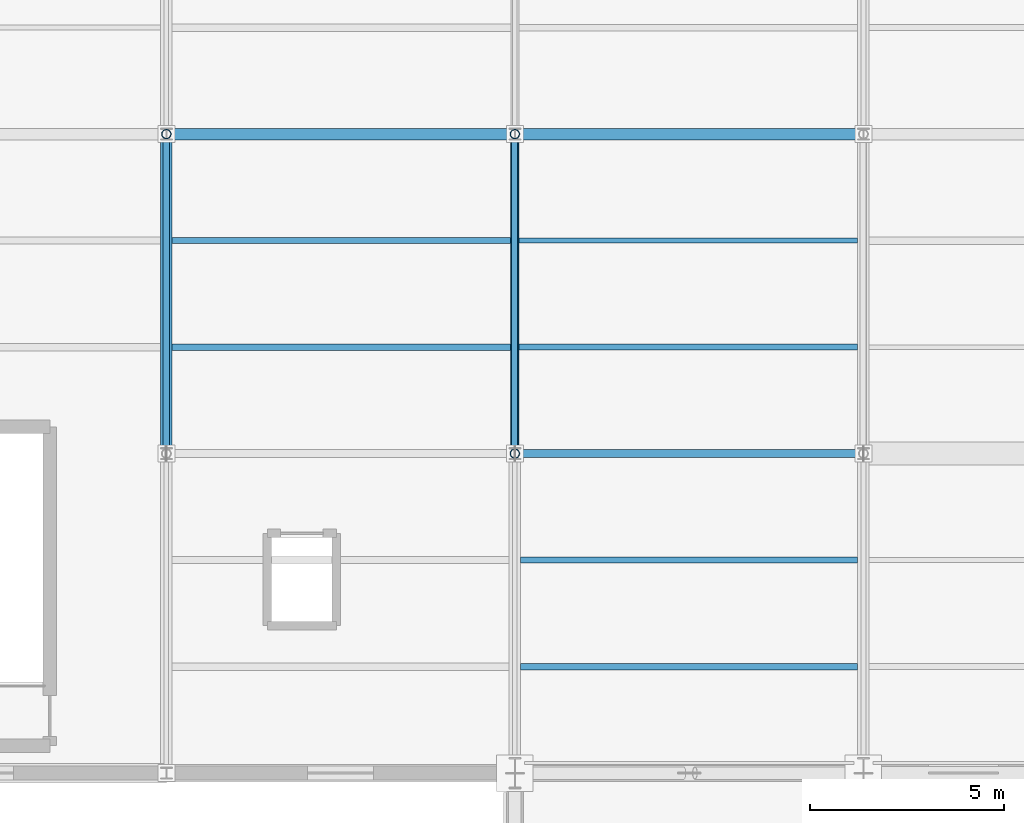
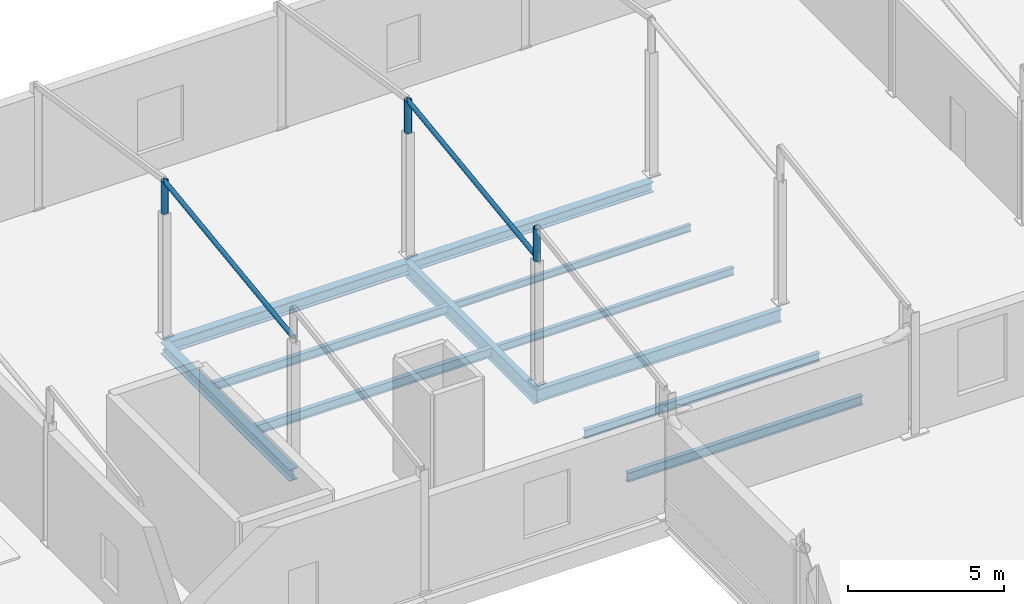
# One storey, part 13 of 54: 11 beams, 5 members.
"""IFC4 building model written with IfcOpenShell, lengths in metres."""

from ifc_helpers import new_model, si_unit, direction, frame, origin, origin_2d, place, context, subcontext, project, spatial, hollow_circle, i_section, extrude, material, material_profile, profile_set, type_object, element, save


model = new_model("IFC4")

# Units and contexts
model_context = context("Model", 3, precision=1e-05, world=origin(), true_north=direction((0.0, 1.0)))
body_context = subcontext(model_context, "Body", "Model", "MODEL_VIEW")
ifc_project = project(units=[si_unit("LENGTHUNIT", "METRE"), si_unit("AREAUNIT", "SQUARE_METRE"), si_unit("VOLUMEUNIT", "CUBIC_METRE"), si_unit("PLANEANGLEUNIT", "RADIAN"), si_unit("MASSUNIT", "GRAM", prefix="KILO")], contexts=[model_context])

# Site, building, storey
site_placement = place(None, origin())
site = spatial("IfcSite", under=ifc_project, at=site_placement, CompositionType="ELEMENT")
building_placement = place(site_placement, origin())
building = spatial("IfcBuilding", under=site, at=building_placement, Name="Sundgate Opera House", CompositionType="ELEMENT")
storey_placement = place(building_placement, frame((0.0, 0.0, 16.800048828125)))
storey = spatial("IfcBuildingStorey", under=building, at=storey_placement, Name="L03", CompositionType="ELEMENT", Elevation=16.800048828125)

# Beams
ifc_material_1 = material(Name="Steel S355J2", Category="steel")
ifc_material_profile_1 = material_profile(ifc_material_1, i_section(OverallWidth=0.300048828125, OverallDepth=0.39990234375, WebThickness=0.013427734375, FlangeThickness=0.02392578125, at=origin_2d()), Name="HEB 400")
ifc_profile_set_1 = profile_set([ifc_material_profile_1], Name="Steel S355J2")
beam_type_1 = type_object("IfcBeamType", Name="BM-GR-HEB400", PredefinedType="BEAM", material=ifc_profile_set_1)
beam_1_placement = place(storey_placement, frame((27.0, 103.5, -0.43994140625), z_axis=(1.0, 0.0, 0.0), x_axis=(0.0, 1.0, 0.0)))
element("IfcBeam", 1, at=beam_1_placement, inside=storey, type_object=beam_type_1, Name="L03 Primary E-W Girder B2681", PredefinedType="BEAM", context=body_context, shape_type="SweptSolid", body=[
    extrude(i_section(OverallWidth=0.300048828125, OverallDepth=0.39990234375, WebThickness=0.013427734375, FlangeThickness=0.02392578125, at=origin_2d()), origin(), (0.0, 0.0, 1.0), 9.0),
])
ifc_material_2 = material(Name="Steel S355J2", Category="steel")
ifc_material_profile_2 = material_profile(ifc_material_2, i_section(OverallWidth=0.300048828125, OverallDepth=0.449951171875, WebThickness=0.013916015625, FlangeThickness=0.02587890625, at=origin_2d()), Name="HEB 450")
ifc_profile_set_2 = profile_set([ifc_material_profile_2], Name="Steel S355J2")
beam_type_2 = type_object("IfcBeamType", Name="BM-GR-HEB450", PredefinedType="BEAM", material=ifc_profile_set_2)
beam_2_placement = place(storey_placement, frame((18.0, 95.25, -0.465087890625), z_axis=(0.0, 1.0, 0.0), x_axis=(-1.0, 0.0, 0.0)))
element("IfcBeam", 2, at=beam_2_placement, inside=storey, type_object=beam_type_2, Name="L03 Primary N-S Girder B2460", PredefinedType="BEAM", context=body_context, shape_type="SweptSolid", body=[
    extrude(i_section(OverallWidth=0.300048828125, OverallDepth=0.449951171875, WebThickness=0.013916015625, FlangeThickness=0.02587890625, at=origin_2d()), origin(), (0.0, 0.0, 1.0), 8.25),
])
beam_3_placement = place(storey_placement, frame((18.0, 103.5, -0.465087890625), z_axis=(1.0, 0.0, 0.0), x_axis=(0.0, 1.0, 0.0)))
element("IfcBeam", 3, at=beam_3_placement, inside=storey, type_object=beam_type_2, Name="L03 Primary E-W Girder B2680", PredefinedType="BEAM", context=body_context, shape_type="SweptSolid", body=[
    extrude(i_section(OverallWidth=0.300048828125, OverallDepth=0.449951171875, WebThickness=0.013916015625, FlangeThickness=0.02587890625, at=origin_2d()), origin(), (0.0, 0.0, 1.0), 9.0),
])
ifc_material_3 = material(Name="Steel S355J2", Category="steel")
ifc_material_profile_3 = material_profile(ifc_material_3, i_section(OverallWidth=0.199951171875, OverallDepth=0.5, WebThickness=0.01025390625, FlangeThickness=0.01611328125, at=origin_2d()), Name="IPE 500")
ifc_profile_set_3 = profile_set([ifc_material_profile_3], Name="Steel S355J2")
beam_type_3 = type_object("IfcBeamType", Name="BM-GR-IPE500", PredefinedType="BEAM", material=ifc_profile_set_3)
beam_4_placement = place(storey_placement, frame((27.0, 95.25, -0.489990234375), z_axis=(1.0, 0.0, 0.0), x_axis=(0.0, 1.0, 0.0)))
element("IfcBeam", 4, at=beam_4_placement, inside=storey, type_object=beam_type_3, Name="L03 Primary E-W Girder B2669", PredefinedType="BEAM", context=body_context, shape_type="SweptSolid", body=[
    extrude(i_section(OverallWidth=0.199951171875, OverallDepth=0.5, WebThickness=0.01025390625, FlangeThickness=0.01611328125, at=origin_2d()), origin(), (0.0, 0.0, 1.0), 9.0),
])
ifc_material_4 = material(Name="Steel S355J2", Category="steel")
ifc_material_profile_4 = material_profile(ifc_material_4, i_section(OverallWidth=0.219970703125, OverallDepth=0.60009765625, WebThickness=0.011962890625, FlangeThickness=0.01904296875, at=origin_2d()), Name="IPE 600")
ifc_profile_set_4 = profile_set([ifc_material_profile_4], Name="Steel S355J2")
beam_type_4 = type_object("IfcBeamType", Name="BM-GR-IPE600", PredefinedType="BEAM", material=ifc_profile_set_4)
beam_5_placement = place(storey_placement, frame((27.0, 95.25, -0.5400390625), z_axis=(0.0, 1.0, 0.0), x_axis=(-1.0, 0.0, 0.0)))
element("IfcBeam", 5, at=beam_5_placement, inside=storey, type_object=beam_type_4, Name="L03 Primary N-S Girder B2469", PredefinedType="BEAM", context=body_context, shape_type="SweptSolid", body=[
    extrude(i_section(OverallWidth=0.219970703125, OverallDepth=0.60009765625, WebThickness=0.011962890625, FlangeThickness=0.01904296875, at=origin_2d()), origin(), (0.0, 0.0, 1.0), 8.25),
])
ifc_material_5 = material(Name="Steel S355J2", Category="steel")
ifc_material_profile_5 = material_profile(ifc_material_5, i_section(OverallWidth=0.135009765625, OverallDepth=0.27001953125, WebThickness=0.006591796875, FlangeThickness=0.01025390625, at=origin_2d()), Name="IPE 270")
ifc_profile_set_5 = profile_set([ifc_material_profile_5], Name="Steel S355J2")
beam_type_5 = type_object("IfcBeamType", Name="BM-JS-IPE270", PredefinedType="JOIST", material=ifc_profile_set_5)
beam_6_placement = place(storey_placement, frame((27.110107421875, 100.75, -0.375), z_axis=(1.0, 0.0, 0.0), x_axis=(0.0, 1.0, 0.0)))
element("IfcBeam", 6, at=beam_6_placement, inside=storey, type_object=beam_type_5, Name="L03 Secondary Floor Joist B2837", PredefinedType="JOIST", context=body_context, shape_type="SweptSolid", body=[
    extrude(i_section(OverallWidth=0.135009765625, OverallDepth=0.27001953125, WebThickness=0.006591796875, FlangeThickness=0.01025390625, at=origin_2d()), origin(), (0.0, 0.0, 1.0), 8.739990234375),
])
ifc_material_6 = material(Name="Steel S355J2", Category="steel")
ifc_material_profile_6 = material_profile(ifc_material_6, i_section(OverallWidth=0.14990234375, OverallDepth=0.300048828125, WebThickness=0.007080078125, FlangeThickness=0.0107421875, at=origin_2d()), Name="IPE 300")
ifc_profile_set_6 = profile_set([ifc_material_profile_6], Name="Steel S355J2")
beam_type_6 = type_object("IfcBeamType", Name="BM-JS-IPE300", PredefinedType="JOIST", material=ifc_profile_set_6)
beam_7_placement = place(storey_placement, frame((27.110107421875, 98.0, -0.39013671875), z_axis=(1.0, 0.0, 0.0), x_axis=(0.0, 1.0, 0.0)))
element("IfcBeam", 7, at=beam_7_placement, inside=storey, type_object=beam_type_6, Name="L03 Secondary Floor Joist B2836", PredefinedType="JOIST", context=body_context, shape_type="SweptSolid", body=[
    extrude(i_section(OverallWidth=0.14990234375, OverallDepth=0.300048828125, WebThickness=0.007080078125, FlangeThickness=0.0107421875, at=origin_2d()), origin(), (0.0, 0.0, 1.0), 8.739990234375),
])
ifc_material_7 = material(Name="Steel S355J2", Category="steel")
ifc_material_profile_7 = material_profile(ifc_material_7, i_section(OverallWidth=0.159912109375, OverallDepth=0.330078125, WebThickness=0.007568359375, FlangeThickness=0.011474609375, at=origin_2d()), Name="IPE 330")
ifc_profile_set_7 = profile_set([ifc_material_profile_7], Name="Steel S355J2")
beam_type_7 = type_object("IfcBeamType", Name="BM-JS-IPE330", PredefinedType="JOIST", material=ifc_profile_set_7)
beam_8_placement = place(storey_placement, frame((27.14990234375, 92.5, -0.405029296875), z_axis=(1.0, 0.0, 0.0), x_axis=(0.0, 1.0, 0.0)))
element("IfcBeam", 8, at=beam_8_placement, inside=storey, type_object=beam_type_7, Name="L03 Secondary Floor Joist B2814", PredefinedType="JOIST", context=body_context, shape_type="SweptSolid", body=[
    extrude(i_section(OverallWidth=0.159912109375, OverallDepth=0.330078125, WebThickness=0.007568359375, FlangeThickness=0.011474609375, at=origin_2d()), origin(), (0.0, 0.0, 1.0), 8.7001953125),
])
beam_9_placement = place(storey_placement, frame((18.14990234375, 100.75, -0.405029296875), z_axis=(1.0, 0.0, 0.0), x_axis=(0.0, 1.0, 0.0)))
element("IfcBeam", 9, at=beam_9_placement, inside=storey, type_object=beam_type_7, Name="L03 Secondary Floor Joist B2835", PredefinedType="JOIST", context=body_context, shape_type="SweptSolid", body=[
    extrude(i_section(OverallWidth=0.159912109375, OverallDepth=0.330078125, WebThickness=0.007568359375, FlangeThickness=0.011474609375, at=origin_2d()), origin(), (0.0, 0.0, 1.0), 8.739990234375),
])
ifc_material_8 = material(Name="Steel S355J2", Category="steel")
ifc_material_profile_8 = material_profile(ifc_material_8, i_section(OverallWidth=0.169921875, OverallDepth=0.360107421875, WebThickness=0.008056640625, FlangeThickness=0.0126953125, at=origin_2d()), Name="IPE 360")
ifc_profile_set_8 = profile_set([ifc_material_profile_8], Name="Steel S355J2")
beam_type_8 = type_object("IfcBeamType", Name="BM-JS-IPE360", PredefinedType="JOIST", material=ifc_profile_set_8)
beam_10_placement = place(storey_placement, frame((27.14990234375, 89.75, -0.420166015625), z_axis=(1.0, 0.0, 0.0), x_axis=(0.0, 1.0, 0.0)))
element("IfcBeam", 10, at=beam_10_placement, inside=storey, type_object=beam_type_8, Name="L03 Secondary Floor Joist B2813", PredefinedType="JOIST", context=body_context, shape_type="SweptSolid", body=[
    extrude(i_section(OverallWidth=0.169921875, OverallDepth=0.360107421875, WebThickness=0.008056640625, FlangeThickness=0.0126953125, at=origin_2d()), origin(), (0.0, 0.0, 1.0), 8.7001953125),
])
beam_11_placement = place(storey_placement, frame((18.14990234375, 98.0, -0.420166015625), z_axis=(1.0, 0.0, 0.0), x_axis=(0.0, 1.0, 0.0)))
element("IfcBeam", 11, at=beam_11_placement, inside=storey, type_object=beam_type_8, Name="L03 Secondary Floor Joist B2834", PredefinedType="JOIST", context=body_context, shape_type="SweptSolid", body=[
    extrude(i_section(OverallWidth=0.169921875, OverallDepth=0.360107421875, WebThickness=0.008056640625, FlangeThickness=0.0126953125, at=origin_2d()), origin(), (0.0, 0.0, 1.0), 8.739990234375),
])

# Members
ifc_material_9 = material(Name="Steel S355J2", Category="steel")
ifc_material_profile_9 = material_profile(ifc_material_9, hollow_circle(Radius=0.084228515625, WallThickness=0.010009765625, at=origin_2d()), Name="CHS 168.3x10.0")
ifc_profile_set_9 = profile_set([ifc_material_profile_9], Name="Steel S355J2")
member_type_1 = type_object("IfcMemberType", Name="MB-BRC-CHS168", PredefinedType="BRACE", material=ifc_profile_set_9)
for number, where, z_axis, x_axis, name in (
    (12, (18.0, 95.25, 4.89990234375), (0.0, 0.991226363506, 0.132175248401), (-1.0, 0.0, 0.0), "L03 Atelier Roof Brace M0469"),
    (13, (27.0, 95.25, 4.89990234375), (0.0, 0.991226363506, 0.132175248401), (-1.0, 0.0, 0.0), "L03 Atelier Roof Brace M0476"),
):
    element("IfcMember", number, at=place(storey_placement, frame(where, z_axis=z_axis, x_axis=x_axis)), inside=storey, type_object=member_type_1, Name=name, PredefinedType="BRACE", context=body_context, shape_type="SweptSolid", body=[
        extrude(hollow_circle(Radius=0.084228515625, WallThickness=0.010009765625, at=origin_2d()), origin(), (0.0, 0.0, 1.0), 8.322998046875),
    ])
ifc_material_10 = material(Name="Steel S355J2", Category="steel")
ifc_material_profile_10 = material_profile(ifc_material_10, hollow_circle(Radius=0.122314453125, WallThickness=0.012451171875, at=origin_2d()), Name="CHS 244.5x12.5")
ifc_profile_set_10 = profile_set([ifc_material_profile_10], Name="Steel S355J2")
member_type_2 = type_object("IfcMemberType", Name="MB-STRUT-CHS244", PredefinedType="STRUT", material=ifc_profile_set_10)
for number, where, z_axis, x_axis, name in (
    (14, (18.0, 103.5, 4.780029296875), (0.0, 0.0, 1.0), (1.0, 0.0, 0.0), "L03 Atelier Crown Post M0464"),
    (15, (27.0, 95.25, 4.780029296875), (0.0, 0.0, 1.0), (1.0, 0.0, 0.0), "L03 Atelier Crown Post M0470"),
    (16, (27.0, 103.5, 4.780029296875), (0.0, 0.0, 1.0), (1.0, 0.0, 0.0), "L03 Atelier Crown Post M0471"),
):
    element("IfcMember", number, at=place(storey_placement, frame(where, z_axis=z_axis, x_axis=x_axis)), inside=storey, type_object=member_type_2, Name=name, PredefinedType="STRUT", context=body_context, shape_type="SweptSolid", body=[
        extrude(hollow_circle(Radius=0.122314453125, WallThickness=0.012451171875, at=origin_2d()), origin(), (0.0, 0.0, 1.0), 1.27001953125),
    ])

save(model, "model.ifc")
